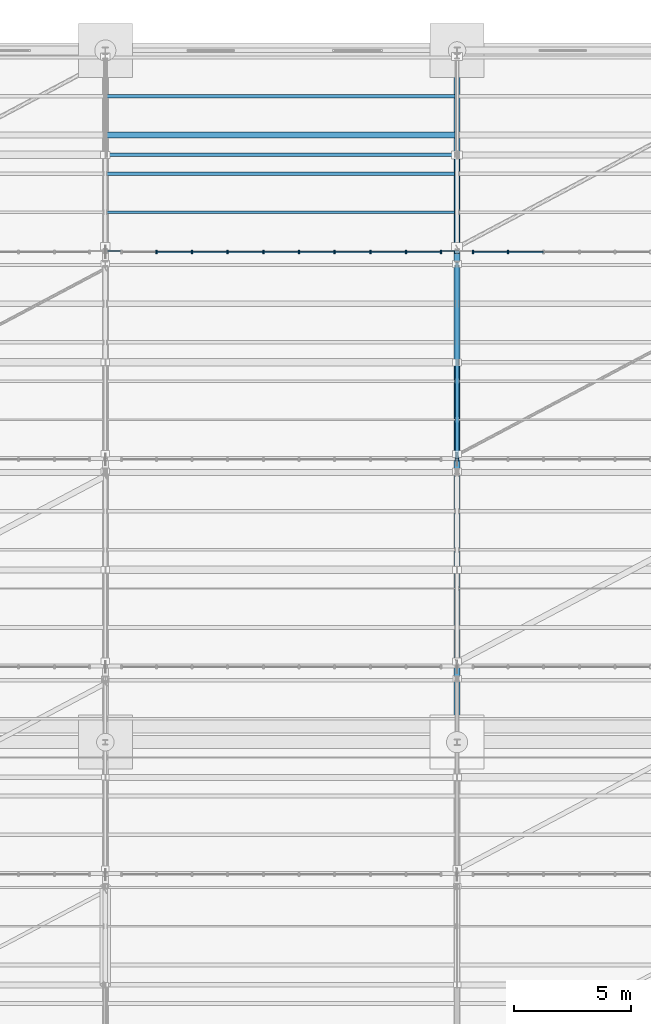
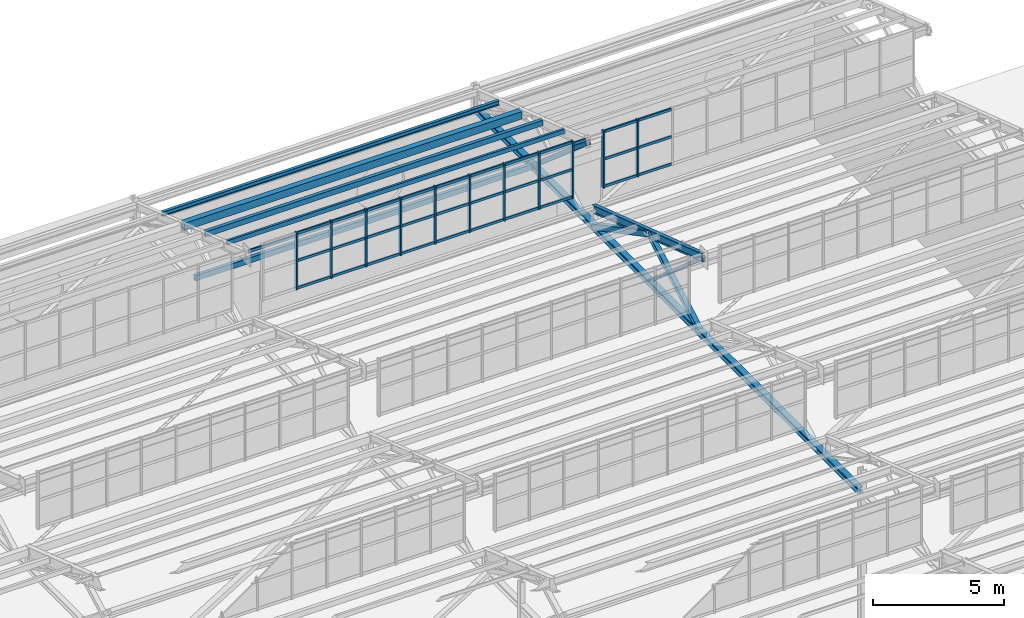
# One storey, part 131 of 285: 46 members, 7 beams, 2 elements without a shape of their own.
"""IFC4 building model written with IfcOpenShell, lengths in metres."""

from ifc_helpers import new_model, si_unit, direction, frame, origin, origin_2d, place, context, subcontext, project, spatial, rectangle, hollow_rectangle, i_section, extrude, material, material_profile, profile_set, type_object, element, aggregate, save


model = new_model("IFC4")

# Units and contexts
model_context = context("Model", 3, precision=1e-05, world=origin(), true_north=direction((0.0, 1.0)))
body_context = subcontext(model_context, "Body", "Model", "MODEL_VIEW")
ifc_project = project(units=[si_unit("LENGTHUNIT", "METRE"), si_unit("AREAUNIT", "SQUARE_METRE"), si_unit("VOLUMEUNIT", "CUBIC_METRE"), si_unit("PLANEANGLEUNIT", "RADIAN"), si_unit("MASSUNIT", "GRAM", prefix="KILO")], contexts=[model_context])

# Site, building, storey
site_placement = place(None, origin())
site = spatial("IfcSite", under=ifc_project, at=site_placement, CompositionType="ELEMENT")
building_placement = place(site_placement, origin())
building = spatial("IfcBuilding", under=site, at=building_placement, Name="Solanera Park Tramway Depot", CompositionType="ELEMENT")
storey_placement = place(building_placement, origin())
storey = spatial("IfcBuildingStorey", under=building, at=storey_placement, Name="L00", CompositionType="ELEMENT", Elevation=0.0)

# Curtain wall, members
ifc_material_1 = material(Name="Bronze-anodised thermally broken aluminium curtain wall", Category="aluminium")
curtain_wall_type = type_object("IfcCurtainWallType", Name="Sawtooth Clerestory Monitor Curtain Wall", PredefinedType="NOTDEFINED", material=ifc_material_1)
curtain_wall_1_placement = place(storey_placement, origin())
curtain_wall_1 = element("IfcCurtainWall", 1, at=curtain_wall_1_placement, inside=storey, type_object=curtain_wall_type, Name="L00 Sawtooth Clerestory Monitor Curtain Wall #067", PredefinedType="NOTDEFINED")
ifc_material_2 = material(Name="Bronze-anodised structural aluminium 6063-T6", Category="aluminium")
ifc_material_profile_1 = material_profile(ifc_material_2, rectangle(XDim=0.06494140625, YDim=0.14990234375, at=origin_2d()), Name="Curtain Wall Mullion 65x150")
ifc_profile_set_1 = profile_set([ifc_material_profile_1], Name="Bronze-anodised structural aluminium 6063-T6")
member_type_1 = type_object("IfcMemberType", Name="Curtain Wall Mullion 65x150", PredefinedType="MULLION", material=ifc_profile_set_1)
member_1_placement = place(storey_placement, frame((32.172119140625, 135.39990234375, 7.75), z_axis=(0.0, 0.0, 1.0), x_axis=(1.0, 0.0, 0.0)))
member_1 = element("IfcMember", 2, at=member_1_placement, type_object=member_type_1, Name="CW-L00-067 Mullion 2", PredefinedType="MULLION", context=body_context, shape_type="SweptSolid", body=[
    extrude(rectangle(XDim=0.06494140625, YDim=0.14990234375, at=origin_2d()), origin(), (0.0, 0.0, 1.0), 2.6611328125),
])
member_2_placement = place(storey_placement, frame((33.6943359375, 135.39990234375, 7.75), z_axis=(0.0, 0.0, 1.0), x_axis=(1.0, 0.0, 0.0)))
member_2 = element("IfcMember", 3, at=member_2_placement, type_object=member_type_1, Name="CW-L00-067 Mullion 3", PredefinedType="MULLION", context=body_context, shape_type="SweptSolid", body=[
    extrude(rectangle(XDim=0.06494140625, YDim=0.14990234375, at=origin_2d()), origin(), (0.0, 0.0, 1.0), 2.6611328125),
])
member_3_placement = place(storey_placement, frame((35.216796875, 135.39990234375, 7.75), z_axis=(0.0, 0.0, 1.0), x_axis=(1.0, 0.0, 0.0)))
member_3 = element("IfcMember", 4, at=member_3_placement, type_object=member_type_1, Name="CW-L00-067 Mullion 4", PredefinedType="MULLION", context=body_context, shape_type="SweptSolid", body=[
    extrude(rectangle(XDim=0.06494140625, YDim=0.14990234375, at=origin_2d()), origin(), (0.0, 0.0, 1.0), 2.6611328125),
])
member_4_placement = place(storey_placement, frame((36.739013671875, 135.39990234375, 7.75), z_axis=(0.0, 0.0, 1.0), x_axis=(1.0, 0.0, 0.0)))
member_4 = element("IfcMember", 5, at=member_4_placement, type_object=member_type_1, Name="CW-L00-067 Mullion 5", PredefinedType="MULLION", context=body_context, shape_type="SweptSolid", body=[
    extrude(rectangle(XDim=0.06494140625, YDim=0.14990234375, at=origin_2d()), origin(), (0.0, 0.0, 1.0), 2.6611328125),
])
member_5_placement = place(storey_placement, frame((38.260986328125, 135.39990234375, 7.75), z_axis=(0.0, 0.0, 1.0), x_axis=(1.0, 0.0, 0.0)))
member_5 = element("IfcMember", 6, at=member_5_placement, type_object=member_type_1, Name="CW-L00-067 Mullion 6", PredefinedType="MULLION", context=body_context, shape_type="SweptSolid", body=[
    extrude(rectangle(XDim=0.06494140625, YDim=0.14990234375, at=origin_2d()), origin(), (0.0, 0.0, 1.0), 2.6611328125),
])
member_6_placement = place(storey_placement, frame((39.783203125, 135.39990234375, 7.75), z_axis=(0.0, 0.0, 1.0), x_axis=(1.0, 0.0, 0.0)))
member_6 = element("IfcMember", 7, at=member_6_placement, type_object=member_type_1, Name="CW-L00-067 Mullion 7", PredefinedType="MULLION", context=body_context, shape_type="SweptSolid", body=[
    extrude(rectangle(XDim=0.06494140625, YDim=0.14990234375, at=origin_2d()), origin(), (0.0, 0.0, 1.0), 2.6611328125),
])
member_7_placement = place(storey_placement, frame((41.3056640625, 135.39990234375, 7.75), z_axis=(0.0, 0.0, 1.0), x_axis=(1.0, 0.0, 0.0)))
member_7 = element("IfcMember", 8, at=member_7_placement, type_object=member_type_1, Name="CW-L00-067 Mullion 8", PredefinedType="MULLION", context=body_context, shape_type="SweptSolid", body=[
    extrude(rectangle(XDim=0.06494140625, YDim=0.14990234375, at=origin_2d()), origin(), (0.0, 0.0, 1.0), 2.6611328125),
])
member_8_placement = place(storey_placement, frame((42.827880859375, 135.39990234375, 7.75), z_axis=(0.0, 0.0, 1.0), x_axis=(1.0, 0.0, 0.0)))
member_8 = element("IfcMember", 9, at=member_8_placement, type_object=member_type_1, Name="CW-L00-067 Mullion 9", PredefinedType="MULLION", context=body_context, shape_type="SweptSolid", body=[
    extrude(rectangle(XDim=0.06494140625, YDim=0.14990234375, at=origin_2d()), origin(), (0.0, 0.0, 1.0), 2.6611328125),
])
member_9_placement = place(storey_placement, frame((44.3173828125, 135.39990234375, 7.75), z_axis=(0.0, 0.0, 1.0), x_axis=(1.0, 0.0, 0.0)))
member_9 = element("IfcMember", 10, at=member_9_placement, type_object=member_type_1, Name="CW-L00-067 Mullion 10", PredefinedType="MULLION", context=body_context, shape_type="SweptSolid", body=[
    extrude(rectangle(XDim=0.06494140625, YDim=0.14990234375, at=origin_2d()), origin(), (0.0, 0.0, 1.0), 2.6611328125),
])

curtain_wall_2_placement = place(storey_placement, origin())
curtain_wall_2 = element("IfcCurtainWall", 11, at=curtain_wall_2_placement, inside=storey, type_object=curtain_wall_type, Name="L00 Sawtooth Clerestory Monitor Curtain Wall #068", PredefinedType="NOTDEFINED")
member_10_placement = place(storey_placement, frame((45.6826171875, 135.39990234375, 7.75), z_axis=(0.0, 0.0, 1.0), x_axis=(1.0, 0.0, 0.0)))
member_10 = element("IfcMember", 12, at=member_10_placement, type_object=member_type_1, Name="CW-L00-068 Mullion 1", PredefinedType="MULLION", context=body_context, shape_type="SweptSolid", body=[
    extrude(rectangle(XDim=0.06494140625, YDim=0.14990234375, at=origin_2d()), origin(), (0.0, 0.0, 1.0), 2.6611328125),
])
member_11_placement = place(storey_placement, frame((47.172119140625, 135.39990234375, 7.75), z_axis=(0.0, 0.0, 1.0), x_axis=(1.0, 0.0, 0.0)))
member_11 = element("IfcMember", 13, at=member_11_placement, type_object=member_type_1, Name="CW-L00-068 Mullion 2", PredefinedType="MULLION", context=body_context, shape_type="SweptSolid", body=[
    extrude(rectangle(XDim=0.06494140625, YDim=0.14990234375, at=origin_2d()), origin(), (0.0, 0.0, 1.0), 2.6611328125),
])

# Member
ifc_material_3 = material(Name="Bronze-anodised structural aluminium 6063-T6", Category="aluminium")
ifc_material_profile_2 = material_profile(ifc_material_3, rectangle(XDim=0.06494140625, YDim=0.1201171875, at=origin_2d()), Name="Curtain Wall Transom 65x120")
ifc_profile_set_2 = profile_set([ifc_material_profile_2], Name="Bronze-anodised structural aluminium 6063-T6")
member_type_2 = type_object("IfcMemberType", Name="Curtain Wall Transom 65x120", PredefinedType="USERDEFINED", material=ifc_profile_set_2)
member_12_placement = place(storey_placement, frame((32.2001953125, 135.39990234375, 7.81005859375), z_axis=(1.0, 0.0, 0.0), x_axis=(0.0, 1.0, 0.0)))
member_12 = element("IfcMember", 14, at=member_12_placement, type_object=member_type_2, Name="CW-L00-067 Transom R1.C2", ObjectType="TRANSOM", PredefinedType="USERDEFINED", context=body_context, shape_type="SweptSolid", body=[
    extrude(rectangle(XDim=0.06494140625, YDim=0.1201171875, at=origin_2d()), origin(), (0.0, 0.0, 1.0), 1.46630859375),
])

member_13_placement = place(storey_placement, frame((33.722412109375, 135.39990234375, 7.81005859375), z_axis=(1.0, 0.0, 0.0), x_axis=(0.0, 1.0, 0.0)))
member_13 = element("IfcMember", 15, at=member_13_placement, type_object=member_type_2, Name="CW-L00-067 Transom R1.C3", ObjectType="TRANSOM", PredefinedType="USERDEFINED", context=body_context, shape_type="SweptSolid", body=[
    extrude(rectangle(XDim=0.06494140625, YDim=0.1201171875, at=origin_2d()), origin(), (0.0, 0.0, 1.0), 1.46630859375),
])

member_14_placement = place(storey_placement, frame((35.24462890625, 135.39990234375, 7.81005859375), z_axis=(1.0, 0.0, 0.0), x_axis=(0.0, 1.0, 0.0)))
member_14 = element("IfcMember", 16, at=member_14_placement, type_object=member_type_2, Name="CW-L00-067 Transom R1.C4", ObjectType="TRANSOM", PredefinedType="USERDEFINED", context=body_context, shape_type="SweptSolid", body=[
    extrude(rectangle(XDim=0.06494140625, YDim=0.1201171875, at=origin_2d()), origin(), (0.0, 0.0, 1.0), 1.46630859375),
])

member_15_placement = place(storey_placement, frame((36.766845703125, 135.39990234375, 7.81005859375), z_axis=(1.0, 0.0, 0.0), x_axis=(0.0, 1.0, 0.0)))
member_15 = element("IfcMember", 17, at=member_15_placement, type_object=member_type_2, Name="CW-L00-067 Transom R1.C5", ObjectType="TRANSOM", PredefinedType="USERDEFINED", context=body_context, shape_type="SweptSolid", body=[
    extrude(rectangle(XDim=0.06494140625, YDim=0.1201171875, at=origin_2d()), origin(), (0.0, 0.0, 1.0), 1.46630859375),
])

member_16_placement = place(storey_placement, frame((38.2890625, 135.39990234375, 7.81005859375), z_axis=(1.0, 0.0, 0.0), x_axis=(0.0, 1.0, 0.0)))
member_16 = element("IfcMember", 18, at=member_16_placement, type_object=member_type_2, Name="CW-L00-067 Transom R1.C6", ObjectType="TRANSOM", PredefinedType="USERDEFINED", context=body_context, shape_type="SweptSolid", body=[
    extrude(rectangle(XDim=0.06494140625, YDim=0.1201171875, at=origin_2d()), origin(), (0.0, 0.0, 1.0), 1.46630859375),
])

member_17_placement = place(storey_placement, frame((39.811279296875, 135.39990234375, 7.81005859375), z_axis=(1.0, 0.0, 0.0), x_axis=(0.0, 1.0, 0.0)))
member_17 = element("IfcMember", 19, at=member_17_placement, type_object=member_type_2, Name="CW-L00-067 Transom R1.C7", ObjectType="TRANSOM", PredefinedType="USERDEFINED", context=body_context, shape_type="SweptSolid", body=[
    extrude(rectangle(XDim=0.06494140625, YDim=0.1201171875, at=origin_2d()), origin(), (0.0, 0.0, 1.0), 1.46630859375),
])

member_18_placement = place(storey_placement, frame((41.33349609375, 135.39990234375, 7.81005859375), z_axis=(1.0, 0.0, 0.0), x_axis=(0.0, 1.0, 0.0)))
member_18 = element("IfcMember", 20, at=member_18_placement, type_object=member_type_2, Name="CW-L00-067 Transom R1.C8", ObjectType="TRANSOM", PredefinedType="USERDEFINED", context=body_context, shape_type="SweptSolid", body=[
    extrude(rectangle(XDim=0.06494140625, YDim=0.1201171875, at=origin_2d()), origin(), (0.0, 0.0, 1.0), 1.46630859375),
])

member_19_placement = place(storey_placement, frame((42.855712890625, 135.39990234375, 7.81005859375), z_axis=(1.0, 0.0, 0.0), x_axis=(0.0, 1.0, 0.0)))
member_19 = element("IfcMember", 21, at=member_19_placement, type_object=member_type_2, Name="CW-L00-067 Transom R1.C9", ObjectType="TRANSOM", PredefinedType="USERDEFINED", context=body_context, shape_type="SweptSolid", body=[
    extrude(rectangle(XDim=0.06494140625, YDim=0.1201171875, at=origin_2d()), origin(), (0.0, 0.0, 1.0), 1.433837890625),
])

member_20_placement = place(storey_placement, frame((32.2001953125, 135.39990234375, 9.08056640625), z_axis=(1.0, 0.0, 0.0), x_axis=(0.0, 1.0, 0.0)))
member_20 = element("IfcMember", 22, at=member_20_placement, type_object=member_type_2, Name="CW-L00-067 Transom R2.C2", ObjectType="TRANSOM", PredefinedType="USERDEFINED", context=body_context, shape_type="SweptSolid", body=[
    extrude(rectangle(XDim=0.06494140625, YDim=0.1201171875, at=origin_2d()), origin(), (0.0, 0.0, 1.0), 1.46630859375),
])

member_21_placement = place(storey_placement, frame((33.722412109375, 135.39990234375, 9.08056640625), z_axis=(1.0, 0.0, 0.0), x_axis=(0.0, 1.0, 0.0)))
member_21 = element("IfcMember", 23, at=member_21_placement, type_object=member_type_2, Name="CW-L00-067 Transom R2.C3", ObjectType="TRANSOM", PredefinedType="USERDEFINED", context=body_context, shape_type="SweptSolid", body=[
    extrude(rectangle(XDim=0.06494140625, YDim=0.1201171875, at=origin_2d()), origin(), (0.0, 0.0, 1.0), 1.46630859375),
])

member_22_placement = place(storey_placement, frame((35.24462890625, 135.39990234375, 9.08056640625), z_axis=(1.0, 0.0, 0.0), x_axis=(0.0, 1.0, 0.0)))
member_22 = element("IfcMember", 24, at=member_22_placement, type_object=member_type_2, Name="CW-L00-067 Transom R2.C4", ObjectType="TRANSOM", PredefinedType="USERDEFINED", context=body_context, shape_type="SweptSolid", body=[
    extrude(rectangle(XDim=0.06494140625, YDim=0.1201171875, at=origin_2d()), origin(), (0.0, 0.0, 1.0), 1.46630859375),
])

member_23_placement = place(storey_placement, frame((36.766845703125, 135.39990234375, 9.08056640625), z_axis=(1.0, 0.0, 0.0), x_axis=(0.0, 1.0, 0.0)))
member_23 = element("IfcMember", 25, at=member_23_placement, type_object=member_type_2, Name="CW-L00-067 Transom R2.C5", ObjectType="TRANSOM", PredefinedType="USERDEFINED", context=body_context, shape_type="SweptSolid", body=[
    extrude(rectangle(XDim=0.06494140625, YDim=0.1201171875, at=origin_2d()), origin(), (0.0, 0.0, 1.0), 1.46630859375),
])

member_24_placement = place(storey_placement, frame((38.2890625, 135.39990234375, 9.08056640625), z_axis=(1.0, 0.0, 0.0), x_axis=(0.0, 1.0, 0.0)))
member_24 = element("IfcMember", 26, at=member_24_placement, type_object=member_type_2, Name="CW-L00-067 Transom R2.C6", ObjectType="TRANSOM", PredefinedType="USERDEFINED", context=body_context, shape_type="SweptSolid", body=[
    extrude(rectangle(XDim=0.06494140625, YDim=0.1201171875, at=origin_2d()), origin(), (0.0, 0.0, 1.0), 1.46630859375),
])

member_25_placement = place(storey_placement, frame((39.811279296875, 135.39990234375, 9.08056640625), z_axis=(1.0, 0.0, 0.0), x_axis=(0.0, 1.0, 0.0)))
member_25 = element("IfcMember", 27, at=member_25_placement, type_object=member_type_2, Name="CW-L00-067 Transom R2.C7", ObjectType="TRANSOM", PredefinedType="USERDEFINED", context=body_context, shape_type="SweptSolid", body=[
    extrude(rectangle(XDim=0.06494140625, YDim=0.1201171875, at=origin_2d()), origin(), (0.0, 0.0, 1.0), 1.46630859375),
])

member_26_placement = place(storey_placement, frame((41.33349609375, 135.39990234375, 9.08056640625), z_axis=(1.0, 0.0, 0.0), x_axis=(0.0, 1.0, 0.0)))
member_26 = element("IfcMember", 28, at=member_26_placement, type_object=member_type_2, Name="CW-L00-067 Transom R2.C8", ObjectType="TRANSOM", PredefinedType="USERDEFINED", context=body_context, shape_type="SweptSolid", body=[
    extrude(rectangle(XDim=0.06494140625, YDim=0.1201171875, at=origin_2d()), origin(), (0.0, 0.0, 1.0), 1.46630859375),
])

member_27_placement = place(storey_placement, frame((42.855712890625, 135.39990234375, 9.08056640625), z_axis=(1.0, 0.0, 0.0), x_axis=(0.0, 1.0, 0.0)))
member_27 = element("IfcMember", 29, at=member_27_placement, type_object=member_type_2, Name="CW-L00-067 Transom R2.C9", ObjectType="TRANSOM", PredefinedType="USERDEFINED", context=body_context, shape_type="SweptSolid", body=[
    extrude(rectangle(XDim=0.06494140625, YDim=0.1201171875, at=origin_2d()), origin(), (0.0, 0.0, 1.0), 1.433837890625),
])

member_28_placement = place(storey_placement, frame((32.2001953125, 135.39990234375, 10.351318359375), z_axis=(1.0, 0.0, 0.0), x_axis=(0.0, 1.0, 0.0)))
member_28 = element("IfcMember", 30, at=member_28_placement, type_object=member_type_2, Name="CW-L00-067 Transom R3.C2", ObjectType="TRANSOM", PredefinedType="USERDEFINED", context=body_context, shape_type="SweptSolid", body=[
    extrude(rectangle(XDim=0.06494140625, YDim=0.1201171875, at=origin_2d()), origin(), (0.0, 0.0, 1.0), 1.46630859375),
])

member_29_placement = place(storey_placement, frame((33.722412109375, 135.39990234375, 10.351318359375), z_axis=(1.0, 0.0, 0.0), x_axis=(0.0, 1.0, 0.0)))
member_29 = element("IfcMember", 31, at=member_29_placement, type_object=member_type_2, Name="CW-L00-067 Transom R3.C3", ObjectType="TRANSOM", PredefinedType="USERDEFINED", context=body_context, shape_type="SweptSolid", body=[
    extrude(rectangle(XDim=0.06494140625, YDim=0.1201171875, at=origin_2d()), origin(), (0.0, 0.0, 1.0), 1.46630859375),
])

member_30_placement = place(storey_placement, frame((35.24462890625, 135.39990234375, 10.351318359375), z_axis=(1.0, 0.0, 0.0), x_axis=(0.0, 1.0, 0.0)))
member_30 = element("IfcMember", 32, at=member_30_placement, type_object=member_type_2, Name="CW-L00-067 Transom R3.C4", ObjectType="TRANSOM", PredefinedType="USERDEFINED", context=body_context, shape_type="SweptSolid", body=[
    extrude(rectangle(XDim=0.06494140625, YDim=0.1201171875, at=origin_2d()), origin(), (0.0, 0.0, 1.0), 1.46630859375),
])

member_31_placement = place(storey_placement, frame((36.766845703125, 135.39990234375, 10.351318359375), z_axis=(1.0, 0.0, 0.0), x_axis=(0.0, 1.0, 0.0)))
member_31 = element("IfcMember", 33, at=member_31_placement, type_object=member_type_2, Name="CW-L00-067 Transom R3.C5", ObjectType="TRANSOM", PredefinedType="USERDEFINED", context=body_context, shape_type="SweptSolid", body=[
    extrude(rectangle(XDim=0.06494140625, YDim=0.1201171875, at=origin_2d()), origin(), (0.0, 0.0, 1.0), 1.46630859375),
])

member_32_placement = place(storey_placement, frame((38.2890625, 135.39990234375, 10.351318359375), z_axis=(1.0, 0.0, 0.0), x_axis=(0.0, 1.0, 0.0)))
member_32 = element("IfcMember", 34, at=member_32_placement, type_object=member_type_2, Name="CW-L00-067 Transom R3.C6", ObjectType="TRANSOM", PredefinedType="USERDEFINED", context=body_context, shape_type="SweptSolid", body=[
    extrude(rectangle(XDim=0.06494140625, YDim=0.1201171875, at=origin_2d()), origin(), (0.0, 0.0, 1.0), 1.46630859375),
])

member_33_placement = place(storey_placement, frame((39.811279296875, 135.39990234375, 10.351318359375), z_axis=(1.0, 0.0, 0.0), x_axis=(0.0, 1.0, 0.0)))
member_33 = element("IfcMember", 35, at=member_33_placement, type_object=member_type_2, Name="CW-L00-067 Transom R3.C7", ObjectType="TRANSOM", PredefinedType="USERDEFINED", context=body_context, shape_type="SweptSolid", body=[
    extrude(rectangle(XDim=0.06494140625, YDim=0.1201171875, at=origin_2d()), origin(), (0.0, 0.0, 1.0), 1.46630859375),
])

member_34_placement = place(storey_placement, frame((41.33349609375, 135.39990234375, 10.351318359375), z_axis=(1.0, 0.0, 0.0), x_axis=(0.0, 1.0, 0.0)))
member_34 = element("IfcMember", 36, at=member_34_placement, type_object=member_type_2, Name="CW-L00-067 Transom R3.C8", ObjectType="TRANSOM", PredefinedType="USERDEFINED", context=body_context, shape_type="SweptSolid", body=[
    extrude(rectangle(XDim=0.06494140625, YDim=0.1201171875, at=origin_2d()), origin(), (0.0, 0.0, 1.0), 1.46630859375),
])

member_35_placement = place(storey_placement, frame((42.855712890625, 135.39990234375, 10.351318359375), z_axis=(1.0, 0.0, 0.0), x_axis=(0.0, 1.0, 0.0)))
member_35 = element("IfcMember", 37, at=member_35_placement, type_object=member_type_2, Name="CW-L00-067 Transom R3.C9", ObjectType="TRANSOM", PredefinedType="USERDEFINED", context=body_context, shape_type="SweptSolid", body=[
    extrude(rectangle(XDim=0.06494140625, YDim=0.1201171875, at=origin_2d()), origin(), (0.0, 0.0, 1.0), 1.433837890625),
])

aggregate(curtain_wall_1, [member_1, member_2, member_3, member_4, member_5, member_6, member_7, member_8, member_9, member_12, member_13, member_14, member_15, member_16, member_17, member_18, member_19, member_20, member_21, member_22, member_23, member_24, member_25, member_26, member_27, member_28, member_29, member_30, member_31, member_32, member_33, member_34, member_35])

member_36_placement = place(storey_placement, frame((45.71044921875, 135.39990234375, 7.81005859375), z_axis=(1.0, 0.0, 0.0), x_axis=(0.0, 1.0, 0.0)))
member_36 = element("IfcMember", 38, at=member_36_placement, type_object=member_type_2, Name="CW-L00-068 Transom R1.C1", ObjectType="TRANSOM", PredefinedType="USERDEFINED", context=body_context, shape_type="SweptSolid", body=[
    extrude(rectangle(XDim=0.06494140625, YDim=0.1201171875, at=origin_2d()), origin(), (0.0, 0.0, 1.0), 1.433837890625),
])

member_37_placement = place(storey_placement, frame((47.2001953125, 135.39990234375, 7.81005859375), z_axis=(1.0, 0.0, 0.0), x_axis=(0.0, 1.0, 0.0)))
member_37 = element("IfcMember", 39, at=member_37_placement, type_object=member_type_2, Name="CW-L00-068 Transom R1.C2", ObjectType="TRANSOM", PredefinedType="USERDEFINED", context=body_context, shape_type="SweptSolid", body=[
    extrude(rectangle(XDim=0.06494140625, YDim=0.1201171875, at=origin_2d()), origin(), (0.0, 0.0, 1.0), 1.46630859375),
])

member_38_placement = place(storey_placement, frame((45.71044921875, 135.39990234375, 9.08056640625), z_axis=(1.0, 0.0, 0.0), x_axis=(0.0, 1.0, 0.0)))
member_38 = element("IfcMember", 40, at=member_38_placement, type_object=member_type_2, Name="CW-L00-068 Transom R2.C1", ObjectType="TRANSOM", PredefinedType="USERDEFINED", context=body_context, shape_type="SweptSolid", body=[
    extrude(rectangle(XDim=0.06494140625, YDim=0.1201171875, at=origin_2d()), origin(), (0.0, 0.0, 1.0), 1.433837890625),
])

member_39_placement = place(storey_placement, frame((47.2001953125, 135.39990234375, 9.08056640625), z_axis=(1.0, 0.0, 0.0), x_axis=(0.0, 1.0, 0.0)))
member_39 = element("IfcMember", 41, at=member_39_placement, type_object=member_type_2, Name="CW-L00-068 Transom R2.C2", ObjectType="TRANSOM", PredefinedType="USERDEFINED", context=body_context, shape_type="SweptSolid", body=[
    extrude(rectangle(XDim=0.06494140625, YDim=0.1201171875, at=origin_2d()), origin(), (0.0, 0.0, 1.0), 1.46630859375),
])

member_40_placement = place(storey_placement, frame((45.71044921875, 135.39990234375, 10.351318359375), z_axis=(1.0, 0.0, 0.0), x_axis=(0.0, 1.0, 0.0)))
member_40 = element("IfcMember", 42, at=member_40_placement, type_object=member_type_2, Name="CW-L00-068 Transom R3.C1", ObjectType="TRANSOM", PredefinedType="USERDEFINED", context=body_context, shape_type="SweptSolid", body=[
    extrude(rectangle(XDim=0.06494140625, YDim=0.1201171875, at=origin_2d()), origin(), (0.0, 0.0, 1.0), 1.433837890625),
])

member_41_placement = place(storey_placement, frame((47.2001953125, 135.39990234375, 10.351318359375), z_axis=(1.0, 0.0, 0.0), x_axis=(0.0, 1.0, 0.0)))
member_41 = element("IfcMember", 43, at=member_41_placement, type_object=member_type_2, Name="CW-L00-068 Transom R3.C2", ObjectType="TRANSOM", PredefinedType="USERDEFINED", context=body_context, shape_type="SweptSolid", body=[
    extrude(rectangle(XDim=0.06494140625, YDim=0.1201171875, at=origin_2d()), origin(), (0.0, 0.0, 1.0), 1.46630859375),
])

aggregate(curtain_wall_2, [member_10, member_11, member_36, member_37, member_38, member_39, member_40, member_41])

# Members
ifc_material_4 = material(Name="Steel AS/NZS 3679.1 Grade 350", Category="steel")
ifc_material_profile_3 = material_profile(ifc_material_4, i_section(OverallWidth=0.205078125, OverallDepth=0.209716796875, WebThickness=0.00927734375, FlangeThickness=0.01416015625, at=origin_2d()), Name="200UC59.5")
ifc_profile_set_3 = profile_set([ifc_material_profile_3], Name="Steel AS/NZS 3679.1 Grade 350")
member_type_3 = type_object("IfcMemberType", Name="Roof Gantry Compression Strut 200UC59.5", PredefinedType="STRUT", material=ifc_profile_set_3)
member_42_placement = place(storey_placement, frame((45.0, 126.800048828125, 6.5), z_axis=(0.0, 0.869202540842, 0.49445620938), x_axis=(-1.0, 0.0, 0.0)))
element("IfcMember", 44, at=member_42_placement, inside=storey, type_object=member_type_3, Name="Sawtooth ROOF TRUSS Strut 200UC59.5 #0375", PredefinedType="STRUT", context=body_context, shape_type="SweptSolid", body=[
    extrude(i_section(OverallWidth=0.205078125, OverallDepth=0.209716796875, WebThickness=0.00927734375, FlangeThickness=0.01416015625, at=origin_2d()), origin(), (0.0, 0.0, 1.0), 4.48681640625),
])
ifc_material_5 = material(Name="Steel AS/NZS 1163 Grade C350L0", Category="steel")
ifc_material_profile_4 = material_profile(ifc_material_5, hollow_rectangle(XDim=0.14990234375, YDim=0.25, WallThickness=0.008056640625, at=origin_2d()), Name="250x150x8.0 RHS")
ifc_profile_set_4 = profile_set([ifc_material_profile_4], Name="Steel AS/NZS 1163 Grade C350L0")
member_type_4 = type_object("IfcMemberType", Name="Secondary Truss Chord 250x150x8.0 RHS", PredefinedType="CHORD", material=ifc_profile_set_4)
member_43_placement = place(storey_placement, frame((30.087890625, 139.550048828125, 6.5), z_axis=(1.0, 0.0, 0.0), x_axis=(0.0, 1.0, 0.0)))
element("IfcMember", 45, at=member_43_placement, inside=storey, type_object=member_type_4, Name="Sawtooth Longitudinal Tie Chord 250x150x8.0 RHS #0427", PredefinedType="CHORD", context=body_context, shape_type="SweptSolid", body=[
    extrude(hollow_rectangle(XDim=0.14990234375, YDim=0.25, WallThickness=0.008056640625, at=origin_2d()), origin(), (0.0, 0.0, 1.0), 14.82421875),
])

# Beams
ifc_material_6 = material(Name="Steel AS/NZS 3679.1 Grade 350", Category="steel")
ifc_material_profile_5 = material_profile(ifc_material_6, i_section(OverallWidth=0.255615234375, OverallDepth=0.260009765625, WebThickness=0.010498046875, FlangeThickness=0.017333984375, at=origin_2d()), Name="250UC89.5")
ifc_profile_set_5 = profile_set([ifc_material_profile_5], Name="Steel AS/NZS 3679.1 Grade 350")
beam_type_1 = type_object("IfcBeamType", Name="Steel Beam 250UC89.5", PredefinedType="BEAM", material=ifc_profile_set_5)
beam_1_placement = place(storey_placement, frame((45.0, 114.626953125, 6.5), z_axis=(0.0, 1.0, 0.0), x_axis=(-1.0, 0.0, 0.0)))
element("IfcBeam", 46, at=beam_1_placement, inside=storey, type_object=beam_type_1, Name="Sawtooth ROOF TRUSS Bottom Chord 250UC89.5 #0378", PredefinedType="BEAM", context=body_context, shape_type="SweptSolid", body=[
    extrude(i_section(OverallWidth=0.255615234375, OverallDepth=0.260009765625, WebThickness=0.010498046875, FlangeThickness=0.017333984375, at=origin_2d()), origin(), (0.0, 0.0, 1.0), 29.245361328125),
])
ifc_material_7 = material(Name="Steel AS/NZS 3679.1 Grade 350", Category="steel")
ifc_material_profile_6 = material_profile(ifc_material_7, i_section(OverallWidth=0.17138671875, OverallDepth=0.355712890625, WebThickness=0.00732421875, FlangeThickness=0.011474609375, at=origin_2d()), Name="360UB50.7")
ifc_profile_set_6 = profile_set([ifc_material_profile_6], Name="Steel AS/NZS 3679.1 Grade 350")
beam_type_2 = type_object("IfcBeamType", Name="Steel Beam 360UB50.7", PredefinedType="BEAM", material=ifc_profile_set_6)
beam_2_placement = place(storey_placement, frame((45.0, 126.550048828125, 10.10693359375), z_axis=(0.0, 0.948319437663, -0.317317261034), x_axis=(-1.0, 0.0, 0.0)))
element("IfcBeam", 47, at=beam_2_placement, inside=storey, type_object=beam_type_2, Name="Sawtooth ROOF TRUSS Top Rafter 360UB50.7 B09-T3", PredefinedType="BEAM", context=body_context, shape_type="SweptSolid", body=[
    extrude(i_section(OverallWidth=0.17138671875, OverallDepth=0.355712890625, WebThickness=0.00732421875, FlangeThickness=0.011474609375, at=origin_2d()), origin(), (0.0, 0.0, 1.0), 8.804931640625),
])
ifc_material_8 = material(Name="Steel AS/NZS 1163 Grade C350L0", Category="steel")
ifc_material_profile_7 = material_profile(ifc_material_8, hollow_rectangle(XDim=0.050048828125, YDim=0.14990234375, WallThickness=0.0048828125, at=origin_2d()), Name="150x50x5.0 RHS")
ifc_profile_set_7 = profile_set([ifc_material_profile_7], Name="Steel AS/NZS 1163 Grade C350L0")
beam_type_3 = type_object("IfcBeamType", Name="Steel Joist Purlin 150x50x5.0 RHS", PredefinedType="JOIST", material=ifc_profile_set_7)
beam_3_placement = place(storey_placement, frame((30.077880859375, 135.449951171875, 10.206787109375), z_axis=(1.0, 0.0, 0.0), x_axis=(0.0, 1.0, 0.0)))
element("IfcBeam", 48, at=beam_3_placement, inside=storey, type_object=beam_type_3, Name="Sawtooth Roof Purlin 150x50x5.0 RHS B10.1", PredefinedType="JOIST", context=body_context, shape_type="SweptSolid", body=[
    extrude(hollow_rectangle(XDim=0.050048828125, YDim=0.14990234375, WallThickness=0.0048828125, at=origin_2d()), origin(), (0.0, 0.0, 1.0), 14.84130859375),
])
ifc_material_9 = material(Name="Steel AS/NZS 3679.1 Grade 350", Category="steel")
ifc_material_profile_8 = material_profile(ifc_material_9, i_section(OverallWidth=0.13330078125, OverallDepth=0.203125, WebThickness=0.005859375, FlangeThickness=0.0078125, at=origin_2d()), Name="200UB25.4")
ifc_profile_set_8 = profile_set([ifc_material_profile_8], Name="Steel AS/NZS 3679.1 Grade 350")
beam_type_4 = type_object("IfcBeamType", Name="Steel Joist Purlin 200UB25.4", PredefinedType="JOIST", material=ifc_profile_set_8)
beam_4_placement = place(storey_placement, frame((30.077880859375, 142.050048828125, 7.9580078125), z_axis=(1.0, 0.0, 0.0), x_axis=(0.0, 1.0, 0.0)))
element("IfcBeam", 49, at=beam_4_placement, inside=storey, type_object=beam_type_4, Name="Sawtooth Roof Purlin 200UB25.4 B10.5", PredefinedType="JOIST", context=body_context, shape_type="SweptSolid", body=[
    extrude(i_section(OverallWidth=0.13330078125, OverallDepth=0.203125, WebThickness=0.005859375, FlangeThickness=0.0078125, at=origin_2d()), origin(), (0.0, 0.0, 1.0), 14.84130859375),
])
ifc_material_10 = material(Name="Steel AS/NZS 1163 Grade C350L0", Category="steel")
ifc_material_profile_9 = material_profile(ifc_material_10, hollow_rectangle(XDim=0.10009765625, YDim=0.199951171875, WallThickness=0.006103515625, at=origin_2d()), Name="200x100x6.0 RHS")
ifc_profile_set_9 = profile_set([ifc_material_profile_9], Name="Steel AS/NZS 1163 Grade C350L0")
beam_type_5 = type_object("IfcBeamType", Name="Steel Joist Purlin 200x100x6.0 RHS", PredefinedType="JOIST", material=ifc_profile_set_9)
beam_5_placement = place(storey_placement, frame((30.077880859375, 137.10009765625, 9.621337890625), z_axis=(1.0, 0.0, 0.0), x_axis=(0.0, 1.0, 0.0)))
element("IfcBeam", 50, at=beam_5_placement, inside=storey, type_object=beam_type_5, Name="Sawtooth Roof Purlin 200x100x6.0 RHS B10.2", PredefinedType="JOIST", context=body_context, shape_type="SweptSolid", body=[
    extrude(hollow_rectangle(XDim=0.10009765625, YDim=0.199951171875, WallThickness=0.006103515625, at=origin_2d()), origin(), (0.0, 0.0, 1.0), 14.84130859375),
])
ifc_material_11 = material(Name="Steel AS/NZS 1163 Grade C350L0", Category="steel")
ifc_material_profile_10 = material_profile(ifc_material_11, hollow_rectangle(XDim=0.14990234375, YDim=0.25, WallThickness=0.008056640625, at=origin_2d()), Name="250x150x8.0 RHS")
ifc_profile_set_10 = profile_set([ifc_material_profile_10], Name="Steel AS/NZS 1163 Grade C350L0")
beam_type_6 = type_object("IfcBeamType", Name="Steel Joist Purlin 250x150x8.0 RHS", PredefinedType="JOIST", material=ifc_profile_set_10)
beam_6_placement = place(storey_placement, frame((30.077880859375, 138.75, 9.035888671875), z_axis=(1.0, 0.0, 0.0), x_axis=(0.0, 1.0, 0.0)))
element("IfcBeam", 51, at=beam_6_placement, inside=storey, type_object=beam_type_6, Name="Sawtooth Roof Purlin 250x150x8.0 RHS B10.3", PredefinedType="JOIST", context=body_context, shape_type="SweptSolid", body=[
    extrude(hollow_rectangle(XDim=0.14990234375, YDim=0.25, WallThickness=0.008056640625, at=origin_2d()), origin(), (0.0, 0.0, 1.0), 14.84130859375),
])
ifc_material_12 = material(Name="Steel AS/NZS 1163 Grade C350L0", Category="steel")
ifc_material_profile_11 = material_profile(ifc_material_12, hollow_rectangle(XDim=0.25, YDim=0.35009765625, WallThickness=0.010009765625, at=origin_2d()), Name="350x250x10.0 RHS")
ifc_profile_set_11 = profile_set([ifc_material_profile_11], Name="Steel AS/NZS 1163 Grade C350L0")
beam_type_7 = type_object("IfcBeamType", Name="Steel Joist Purlin 350x250x10.0 RHS", PredefinedType="JOIST", material=ifc_profile_set_11)
beam_7_placement = place(storey_placement, frame((30.077880859375, 140.39990234375, 8.4169921875), z_axis=(1.0, 0.0, 0.0), x_axis=(0.0, 1.0, 0.0)))
element("IfcBeam", 52, at=beam_7_placement, inside=storey, type_object=beam_type_7, Name="Sawtooth Roof Purlin 350x250x10.0 RHS B10.4", PredefinedType="JOIST", context=body_context, shape_type="SweptSolid", body=[
    extrude(hollow_rectangle(XDim=0.25, YDim=0.35009765625, WallThickness=0.010009765625, at=origin_2d()), origin(), (0.0, 0.0, 1.0), 14.84130859375),
])

# Members
ifc_material_13 = material(Name="Steel AS/NZS 1163 Grade C350L0", Category="steel")
ifc_material_profile_12 = material_profile(ifc_material_13, hollow_rectangle(XDim=0.14990234375, YDim=0.14990234375, WallThickness=0.006103515625, at=origin_2d()), Name="150x150x6.0 SHS")
ifc_profile_set_12 = profile_set([ifc_material_profile_12], Name="Steel AS/NZS 1163 Grade C350L0")
member_type_5 = type_object("IfcMemberType", Name="Truss and Frame Brace 150x150x6.0 SHS", PredefinedType="BRACE", material=ifc_profile_set_12)
member_44_placement = place(storey_placement, frame((45.0, 130.699951171875, 6.5), z_axis=(0.0, -0.754756538157, 0.656005006162), x_axis=(1.0, 0.0, 0.0)))
element("IfcMember", 53, at=member_44_placement, inside=storey, type_object=member_type_5, Name="Sawtooth ROOF TRUSS Web Brace 150x150x6.0 SHS #0373", PredefinedType="BRACE", context=body_context, shape_type="SweptSolid", body=[
    extrude(hollow_rectangle(XDim=0.14990234375, YDim=0.14990234375, WallThickness=0.006103515625, at=origin_2d()), origin(), (0.0, 0.0, 1.0), 5.498291015625),
])
ifc_material_14 = material(Name="Steel AS/NZS 1163 Grade C350L0", Category="steel")
ifc_material_profile_13 = material_profile(ifc_material_14, hollow_rectangle(XDim=0.199951171875, YDim=0.199951171875, WallThickness=0.008056640625, at=origin_2d()), Name="200x200x8.0 SHS")
ifc_profile_set_13 = profile_set([ifc_material_profile_13], Name="Steel AS/NZS 1163 Grade C350L0")
member_type_6 = type_object("IfcMemberType", Name="Truss and Frame Brace 200x200x8.0 SHS", PredefinedType="BRACE", material=ifc_profile_set_13)
member_45_placement = place(storey_placement, frame((45.0, 139.550048828125, 6.5), z_axis=(0.0, -0.757064292854, 0.653340383327), x_axis=(1.0, 0.0, 0.0)))
element("IfcMember", 54, at=member_45_placement, inside=storey, type_object=member_type_6, Name="Sawtooth ROOF TRUSS Web Brace 200x200x8.0 SHS #0407", PredefinedType="BRACE", context=body_context, shape_type="SweptSolid", body=[
    extrude(hollow_rectangle(XDim=0.199951171875, YDim=0.199951171875, WallThickness=0.008056640625, at=origin_2d()), origin(), (0.0, 0.0, 1.0), 5.48193359375),
])
ifc_material_15 = material(Name="Steel AS/NZS 1163 Grade C350L0", Category="steel")
ifc_material_profile_14 = material_profile(ifc_material_15, hollow_rectangle(XDim=0.25, YDim=0.25, WallThickness=0.010009765625, at=origin_2d()), Name="250x250x10.0 SHS")
ifc_profile_set_14 = profile_set([ifc_material_profile_14], Name="Steel AS/NZS 1163 Grade C350L0")
member_type_7 = type_object("IfcMemberType", Name="Truss and Frame Brace 250x250x10.0 SHS", PredefinedType="BRACE", material=ifc_profile_set_14)
member_46_placement = place(storey_placement, frame((45.0, 134.89990234375, 6.5), z_axis=(0.0, -0.884222622593, 0.467065684561), x_axis=(1.0, 0.0, 0.0)))
element("IfcMember", 55, at=member_46_placement, inside=storey, type_object=member_type_7, Name="Sawtooth ROOF TRUSS Diagonal 250x250x10.0 SHS #0374", PredefinedType="BRACE", context=body_context, shape_type="SweptSolid", body=[
    extrude(hollow_rectangle(XDim=0.25, YDim=0.25, WallThickness=0.010009765625, at=origin_2d()), origin(), (0.0, 0.0, 1.0), 4.75),
])

save(model, "model.ifc")
